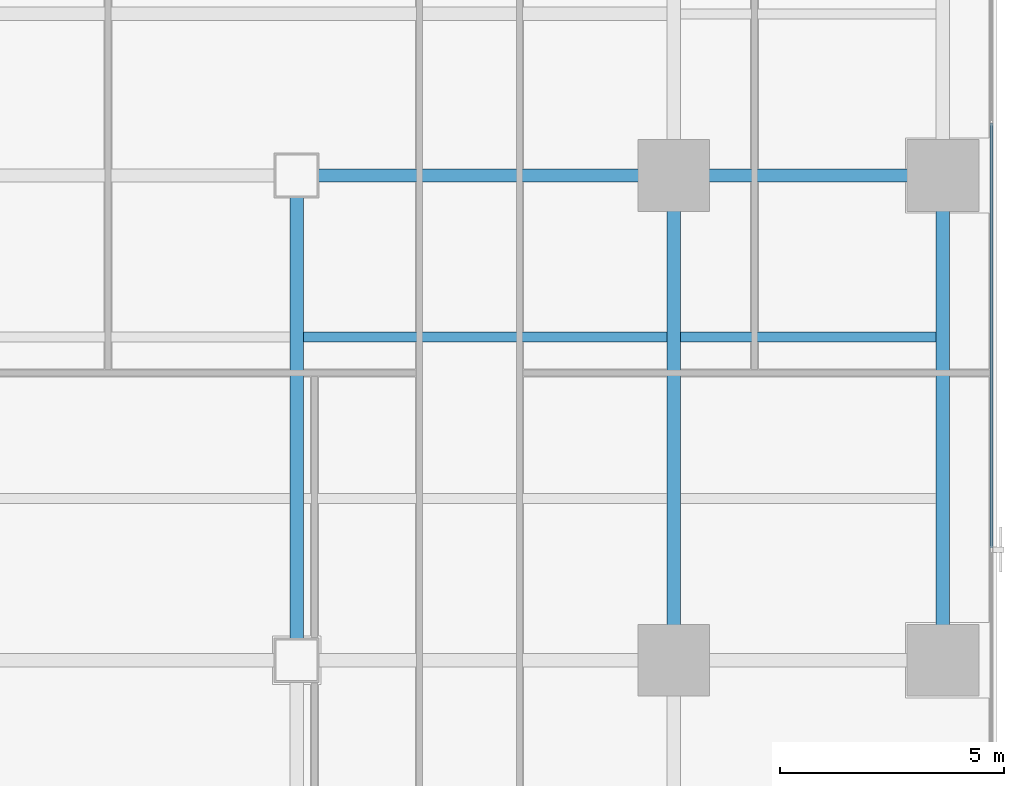
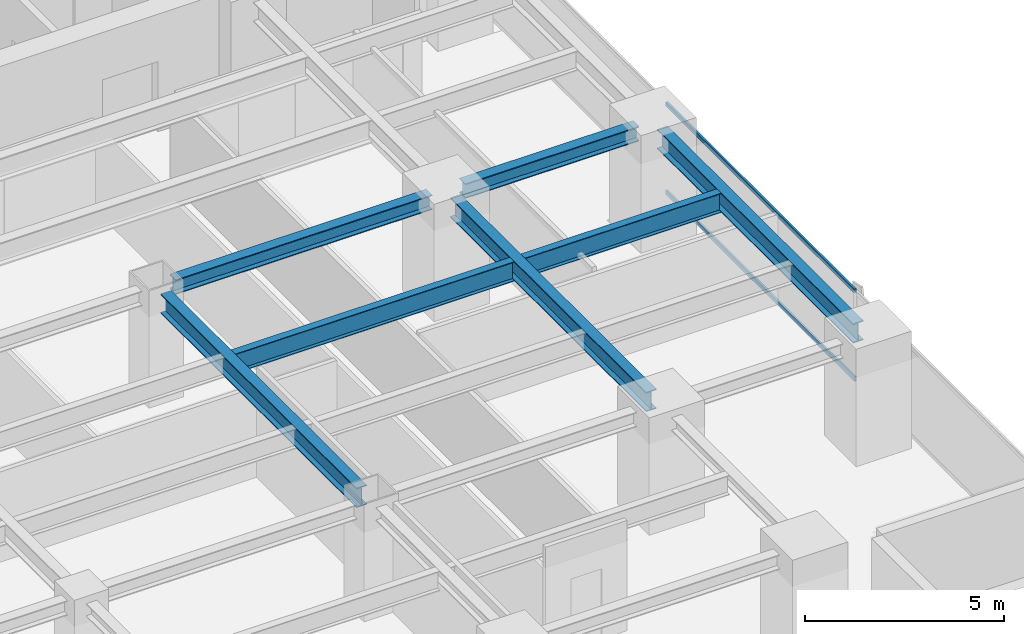
# One storey, part 12 of 29: 7 beams, 2 members, 1 element without a shape of its own.
"""IFC4 building model written with IfcOpenShell, lengths in metres."""

from ifc_helpers import new_model, si_unit, direction, frame, origin, origin_2d, place, context, subcontext, project, spatial, hollow_rectangle, i_section, extrude, source, transform, mapped, material, layer, layer_set, material_profile, profile_set, type_object, element, aggregate, save


model = new_model("IFC4")

# Units and contexts
model_context = context("Model", 3, precision=1e-05, world=origin(), true_north=direction((0.0, 1.0)))
body_context = subcontext(model_context, "Body", "Model", "MODEL_VIEW")
ifc_project = project(units=[si_unit("LENGTHUNIT", "METRE"), si_unit("AREAUNIT", "SQUARE_METRE"), si_unit("VOLUMEUNIT", "CUBIC_METRE"), si_unit("PLANEANGLEUNIT", "RADIAN"), si_unit("MASSUNIT", "GRAM", prefix="KILO")], contexts=[model_context])

# Site, building, storey
site_placement = place(None, origin())
site = spatial("IfcSite", under=ifc_project, at=site_placement, CompositionType="ELEMENT")
building_placement = place(site_placement, origin())
building = spatial("IfcBuilding", under=site, at=building_placement, Name="Sumidabori Civic Tower", CompositionType="ELEMENT")
storey_placement = place(building_placement, frame((0.0, 0.0, 131.60009765625)))
storey = spatial("IfcBuildingStorey", under=building, at=storey_placement, Name="L33", CompositionType="ELEMENT", Elevation=131.60009765625)

# Beams
ifc_material_1 = material(Name="Steel SN490", Category="steel")
ifc_material_profile_1 = material_profile(ifc_material_1, i_section(OverallWidth=0.300048828125, OverallDepth=0.60009765625, WebThickness=0.015380859375, FlangeThickness=0.030029296875, at=origin_2d()), Name="HE 600 B")
ifc_profile_set_1 = profile_set([ifc_material_profile_1], Name="Steel SN490")
beam_type_1 = type_object("IfcBeamType", Name="BM-GIRD-600", PredefinedType="BEAM", material=ifc_profile_set_1)
shared_shape_1 = source(origin(), body_context, "Body", "SweptSolid", [
    extrude(i_section(OverallWidth=0.300048828125, OverallDepth=0.60009765625, WebThickness=0.015380859375, FlangeThickness=0.030029296875, at=origin_2d()), origin(), (0.0, 0.0, 1.0), 9.840087890625),
])
for number, where, z_axis, x_axis, name in (
    (1, (8.39990234375, -10.320068359375, 3.079833984375), (0.0, 1.0, 0.0), (-1.0, 0.0, 0.0), "Primary Girder L33 GY-31"),
    (2, (16.800048828125, -10.320068359375, 3.079833984375), (0.0, 1.0, 0.0), (-1.0, 0.0, 0.0), "Primary Girder L33 GY-33"),
    (3, (22.800048828125, -10.320068359375, 3.079833984375), (0.0, 1.0, 0.0), (-1.0, 0.0, 0.0), "Primary Girder L33 GY-36"),
):
    element("IfcBeam", number, at=place(storey_placement, frame(where, z_axis=z_axis, x_axis=x_axis)), inside=storey, type_object=beam_type_1, Name=name, PredefinedType="BEAM", context=body_context, shape_type="MappedRepresentation", body=[
        mapped(shared_shape_1, transform((0.0, 0.0, 0.0), x_axis=(1.0, 0.0, 0.0), y_axis=(0.0, 1.0, 0.0), z_axis=(0.0, 0.0, 1.0), scale=1.0)),
    ])
ifc_material_profile_2 = material_profile(ifc_material_1, i_section(OverallWidth=0.219970703125, OverallDepth=0.60009765625, WebThickness=0.011962890625, FlangeThickness=0.01904296875, at=origin_2d()), Name="IPE 600")
ifc_profile_set_2 = profile_set([ifc_material_profile_2], Name="Steel SN490")
beam_type_2 = type_object("IfcBeamType", Name="BM-JST-600", PredefinedType="JOIST", material=ifc_profile_set_2)
shared_shape_2 = source(origin(), body_context, "Body", "SweptSolid", [
    extrude(i_section(OverallWidth=0.219970703125, OverallDepth=0.60009765625, WebThickness=0.011962890625, FlangeThickness=0.01904296875, at=origin_2d()), origin(), (0.0, 0.0, 1.0), 5.699951171875),
])
beam_1_placement = place(storey_placement, frame((16.949951171875, -3.60009765625, 3.079833984375), z_axis=(1.0, 0.0, 0.0), x_axis=(0.0, 1.0, 0.0)))
element("IfcBeam", 4, at=beam_1_placement, inside=storey, type_object=beam_type_2, Name="Outer Bay Floor Joist L33 JSTO-42", PredefinedType="JOIST", context=body_context, shape_type="MappedRepresentation", body=[
    mapped(shared_shape_2, transform((0.0, 0.0, 0.0), x_axis=(1.0, 0.0, 0.0), y_axis=(0.0, 1.0, 0.0), z_axis=(0.0, 0.0, 1.0), scale=1.0)),
])
shared_shape_3 = source(origin(), body_context, "Body", "SweptSolid", [
    extrude(i_section(OverallWidth=0.219970703125, OverallDepth=0.60009765625, WebThickness=0.011962890625, FlangeThickness=0.01904296875, at=origin_2d()), origin(), (0.0, 0.0, 1.0), 8.099853515625),
])
beam_2_placement = place(storey_placement, frame((8.550048828125, -3.60009765625, 3.079833984375), z_axis=(1.0, 0.0, 0.0), x_axis=(0.0, 1.0, 0.0)))
element("IfcBeam", 5, at=beam_2_placement, inside=storey, type_object=beam_type_2, Name="South Bay Floor Joist L33 JSTS-60", PredefinedType="JOIST", context=body_context, shape_type="MappedRepresentation", body=[
    mapped(shared_shape_3, transform((0.0, 0.0, 0.0), x_axis=(1.0, 0.0, 0.0), y_axis=(0.0, 1.0, 0.0), z_axis=(0.0, 0.0, 1.0), scale=1.0)),
])
ifc_material_profile_3 = material_profile(ifc_material_1, i_section(OverallWidth=0.300048828125, OverallDepth=0.449951171875, WebThickness=0.013916015625, FlangeThickness=0.02587890625, at=origin_2d()), Name="HE 450 B")
ifc_profile_set_3 = profile_set([ifc_material_profile_3], Name="Steel SN490")
beam_type_3 = type_object("IfcBeamType", Name="BM-GIRD-450", PredefinedType="BEAM", material=ifc_profile_set_3)
shared_shape_4 = source(origin(), body_context, "Body", "SweptSolid", [
    extrude(i_section(OverallWidth=0.300048828125, OverallDepth=0.449951171875, WebThickness=0.013916015625, FlangeThickness=0.02587890625, at=origin_2d()), origin(), (0.0, 0.0, 1.0), 7.440185546875),
])
beam_3_placement = place(storey_placement, frame((8.8798828125, 0.0, 3.15478515625), z_axis=(1.0, 0.0, 0.0), x_axis=(0.0, 1.0, 0.0)))
element("IfcBeam", 6, at=beam_3_placement, inside=storey, type_object=beam_type_3, Name="Primary Girder L33 GX-15", PredefinedType="BEAM", context=body_context, shape_type="MappedRepresentation", body=[
    mapped(shared_shape_4, transform((0.0, 0.0, 0.0), x_axis=(1.0, 0.0, 0.0), y_axis=(0.0, 1.0, 0.0), z_axis=(0.0, 0.0, 1.0), scale=1.0)),
])
shared_shape_5 = source(origin(), body_context, "Body", "SweptSolid", [
    extrude(i_section(OverallWidth=0.300048828125, OverallDepth=0.449951171875, WebThickness=0.013916015625, FlangeThickness=0.02587890625, at=origin_2d()), origin(), (0.0, 0.0, 1.0), 5.0400390625),
])
beam_4_placement = place(storey_placement, frame((17.280029296875, 0.0, 3.15478515625), z_axis=(1.0, 0.0, 0.0), x_axis=(0.0, 1.0, 0.0)))
element("IfcBeam", 7, at=beam_4_placement, inside=storey, type_object=beam_type_3, Name="Primary Girder L33 GX-16", PredefinedType="BEAM", context=body_context, shape_type="MappedRepresentation", body=[
    mapped(shared_shape_5, transform((0.0, 0.0, 0.0), x_axis=(1.0, 0.0, 0.0), y_axis=(0.0, 1.0, 0.0), z_axis=(0.0, 0.0, 1.0), scale=1.0)),
])

# Curtain wall, members
ifc_material_2 = material(Name="Anodised Bronze Aluminium AW-6063-T6", Category="aluminium")
ifc_layer = layer(ifc_material_2, 0.179931640625, Name="Anodised Bronze Aluminium AW-6063-T6")
ifc_layer_set = layer_set([ifc_layer], Name="Anodised Bronze Aluminium AW-6063-T6")
curtain_wall_type = type_object("IfcCurtainWallType", Name="CW-SYS-3", PredefinedType="NOTDEFINED", material=ifc_layer_set)
curtain_wall_placement = place(storey_placement, origin())
curtain_wall = element("IfcCurtainWall", 8, at=curtain_wall_placement, inside=storey, type_object=curtain_wall_type, Name="Curtain Wall CW:L33:R04", PredefinedType="NOTDEFINED")
ifc_material_profile_4 = material_profile(ifc_material_2, hollow_rectangle(XDim=0.06005859375, YDim=0.1298828125, WallThickness=0.0048828125, at=origin_2d()), Name="ALU TRANSOM 130x60")
ifc_profile_set_4 = profile_set([ifc_material_profile_4], Name="Anodised Bronze Aluminium AW-6063-T6")
member_type = type_object("IfcMemberType", Name="CW-TRN-130", PredefinedType="USERDEFINED", material=ifc_profile_set_4)
shared_shape_6 = source(origin(), body_context, "Body", "SweptSolid", [
    extrude(hollow_rectangle(XDim=0.06005859375, YDim=0.1298828125, WallThickness=0.0048828125, at=origin_2d()), origin(), (0.0, 0.0, 1.0), 9.469970703125),
])
member_1_placement = place(storey_placement, frame((23.8798828125, -8.302490234375, 0.02978515625), z_axis=(0.0, 1.0, 0.0), x_axis=(-1.0, 0.0, 0.0)))
member_1 = element("IfcMember", 9, at=member_1_placement, type_object=member_type, Name="CW-3 transom 2.1", ObjectType="TRANSOM", PredefinedType="USERDEFINED", context=body_context, shape_type="MappedRepresentation", body=[
    mapped(shared_shape_6, transform((0.0, 0.0, 0.0), x_axis=(1.0, 0.0, 0.0), y_axis=(0.0, 1.0, 0.0), z_axis=(0.0, 0.0, 1.0), scale=1.0)),
])
member_2_placement = place(storey_placement, frame((23.8798828125, -8.302490234375, 2.72998046875), z_axis=(0.0, 1.0, 0.0), x_axis=(-1.0, 0.0, 0.0)))
member_2 = element("IfcMember", 10, at=member_2_placement, type_object=member_type, Name="CW-3 transom 2.2", ObjectType="TRANSOM", PredefinedType="USERDEFINED", context=body_context, shape_type="MappedRepresentation", body=[
    mapped(shared_shape_6, transform((0.0, 0.0, 0.0), x_axis=(1.0, 0.0, 0.0), y_axis=(0.0, 1.0, 0.0), z_axis=(0.0, 0.0, 1.0), scale=1.0)),
])
aggregate(curtain_wall, [member_1, member_2])

save(model, "model.ifc")
